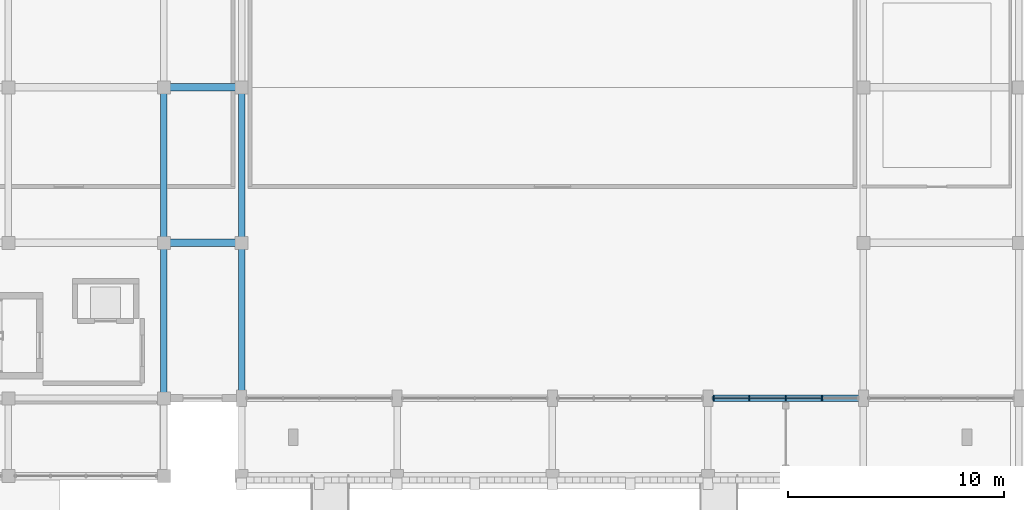
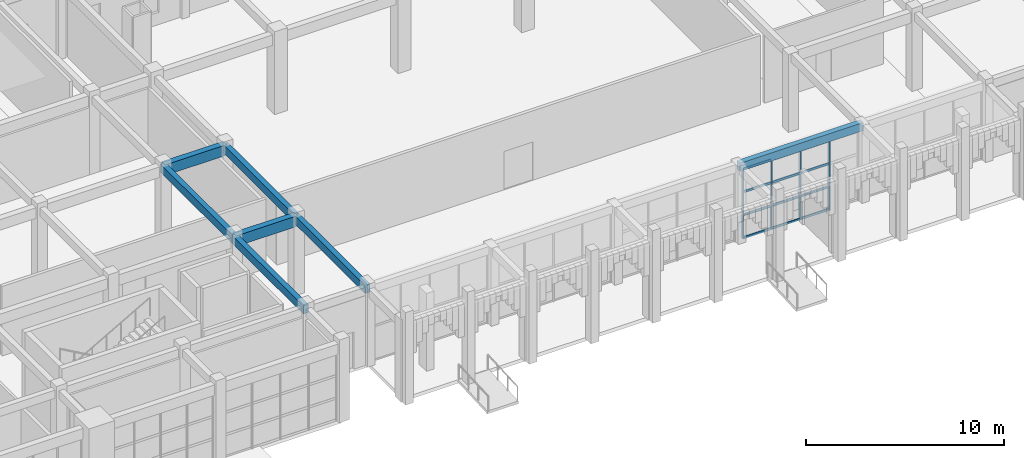
# One storey, part 13 of 72: 16 members, 7 beams, 1 element without a shape of its own.
"""IFC4 building model written with IfcOpenShell, lengths in metres."""

from ifc_helpers import new_model, si_unit, direction, frame, origin, origin_2d, place, context, subcontext, project, spatial, rectangle, extrude, material, material_profile, profile_set, type_object, element, aggregate, save


model = new_model("IFC4")

# Units and contexts
model_context = context("Model", 3, precision=1e-05, world=origin(), true_north=direction((0.0, 1.0)))
body_context = subcontext(model_context, "Body", "Model", "MODEL_VIEW")
ifc_project = project(units=[si_unit("LENGTHUNIT", "METRE"), si_unit("AREAUNIT", "SQUARE_METRE"), si_unit("VOLUMEUNIT", "CUBIC_METRE"), si_unit("PLANEANGLEUNIT", "RADIAN"), si_unit("MASSUNIT", "GRAM", prefix="KILO")], contexts=[model_context])

# Site, building, storey
site_placement = place(None, origin())
site = spatial("IfcSite", under=ifc_project, at=site_placement, CompositionType="ELEMENT")
building_placement = place(site_placement, origin())
building = spatial("IfcBuilding", under=site, at=building_placement, Name="Nzembalo Square Collegiate School", CompositionType="ELEMENT")
storey_placement = place(building_placement, origin())
storey = spatial("IfcBuildingStorey", under=building, at=storey_placement, Name="L00", CompositionType="ELEMENT", Elevation=0.0)

# Beams
ifc_material_1 = material(Name="Concrete C35/45", Category="concrete")
ifc_material_profile_1 = material_profile(ifc_material_1, rectangle(XDim=0.35009765625, YDim=0.64990234375, at=origin_2d()), Name="RC 350x650")
ifc_profile_set_1 = profile_set([ifc_material_profile_1], Name="Concrete C35/45")
beam_type_1 = type_object("IfcBeamType", Name="B01", PredefinedType="BEAM", material=ifc_profile_set_1)
for number, where, z_axis, x_axis, name in (
    (1, (37.199951171875, 90.0, 4.465087890625), (1.0, 0.0, 0.0), (0.0, 1.0, 0.0), "Beam B01 L00"),
    (2, (37.199951171875, 97.199951171875, 4.465087890625), (1.0, 0.0, 0.0), (0.0, 1.0, 0.0), "Beam B01 L00"),
):
    element("IfcBeam", number, at=place(storey_placement, frame(where, z_axis=z_axis, x_axis=x_axis)), inside=storey, type_object=beam_type_1, Name=name, PredefinedType="BEAM", context=body_context, shape_type="SweptSolid", body=[
        extrude(rectangle(XDim=0.35009765625, YDim=0.64990234375, at=origin_2d()), origin(), (0.0, 0.0, 1.0), 3.60009765625),
    ])
ifc_material_2 = material(Name="Concrete C35/45", Category="concrete")
ifc_material_profile_2 = material_profile(ifc_material_2, rectangle(XDim=0.300048828125, YDim=0.5, at=origin_2d()), Name="RC 300x500")
ifc_profile_set_2 = profile_set([ifc_material_profile_2], Name="Concrete C35/45")
beam_type_2 = type_object("IfcBeamType", Name="B02", PredefinedType="BEAM", material=ifc_profile_set_2)
for number, where, z_axis, x_axis, name in (
    (3, (40.800048828125, 82.800048828125, 4.5400390625), (0.0, 1.0, 0.0), (-1.0, 0.0, 0.0), "Beam B02 L00"),
    (4, (40.800048828125, 90.0, 4.5400390625), (0.0, 1.0, 0.0), (-1.0, 0.0, 0.0), "Beam B02 L00"),
):
    element("IfcBeam", number, at=place(storey_placement, frame(where, z_axis=z_axis, x_axis=x_axis)), inside=storey, type_object=beam_type_2, Name=name, PredefinedType="BEAM", context=body_context, shape_type="SweptSolid", body=[
        extrude(rectangle(XDim=0.300048828125, YDim=0.5, at=origin_2d()), origin(), (0.0, 0.0, 1.0), 7.199951171875),
    ])
ifc_material_3 = material(Name="Concrete C35/45", Category="concrete")
ifc_material_profile_3 = material_profile(ifc_material_3, rectangle(XDim=0.300048828125, YDim=0.5, at=origin_2d()), Name="RC 300x500")
ifc_profile_set_3 = profile_set([ifc_material_profile_3], Name="Concrete C35/45")
beam_type_3 = type_object("IfcBeamType", Name="SP01", PredefinedType="SPANDREL", material=ifc_profile_set_3)
beam_placement = place(storey_placement, frame((62.39990234375, 82.800048828125, 4.5400390625), z_axis=(1.0, 0.0, 0.0), x_axis=(0.0, 1.0, 0.0)))
element("IfcBeam", 5, at=beam_placement, inside=storey, type_object=beam_type_3, Name="Beam SP01 L00", PredefinedType="SPANDREL", context=body_context, shape_type="SweptSolid", body=[
    extrude(rectangle(XDim=0.300048828125, YDim=0.5, at=origin_2d()), origin(), (0.0, 0.0, 1.0), 7.2001953125),
])
for number, where, z_axis, x_axis, name in (
    (6, (37.199951171875, 82.800048828125, 4.5400390625), (0.0, 1.0, 0.0), (-1.0, 0.0, 0.0), "Beam SP01 L00"),
    (7, (37.199951171875, 90.0, 4.5400390625), (0.0, 1.0, 0.0), (-1.0, 0.0, 0.0), "Beam SP01 L00"),
):
    element("IfcBeam", number, at=place(storey_placement, frame(where, z_axis=z_axis, x_axis=x_axis)), inside=storey, type_object=beam_type_3, Name=name, PredefinedType="SPANDREL", context=body_context, shape_type="SweptSolid", body=[
        extrude(rectangle(XDim=0.300048828125, YDim=0.5, at=origin_2d()), origin(), (0.0, 0.0, 1.0), 7.199951171875),
    ])

# Curtain wall, members
ifc_material_4 = material(Name="Aluminium 6060-T66", Category="aluminium")
curtain_wall_type = type_object("IfcCurtainWallType", Name="CW-06", PredefinedType="USERDEFINED", material=ifc_material_4)
curtain_wall_placement = place(storey_placement, origin())
curtain_wall = element("IfcCurtainWall", 8, at=curtain_wall_placement, inside=storey, type_object=curtain_wall_type, Name="Curtain wall CW-06 cw:L00:029", ObjectType="LANCET", PredefinedType="USERDEFINED")
ifc_material_5 = material(Name="Aluminium 6060-T66", Category="aluminium")
ifc_material_profile_4 = material_profile(ifc_material_5, rectangle(XDim=0.06005859375, YDim=0.179931640625, at=origin_2d()), Name="ALU M60x180")
ifc_profile_set_4 = profile_set([ifc_material_profile_4], Name="Aluminium 6060-T66")
member_type_1 = type_object("IfcMemberType", Name="ML01", PredefinedType="MULLION", material=ifc_profile_set_4)
member_1_placement = place(storey_placement, frame((62.656982421875, 82.800048828125, 0.0), z_axis=(0.0, 0.0, 1.0), x_axis=(1.0, 0.0, 0.0)))
member_1 = element("IfcMember", 9, at=member_1_placement, type_object=member_type_1, Name="ML01 mullion 1", PredefinedType="MULLION", context=body_context, shape_type="SweptSolid", body=[
    extrude(rectangle(XDim=0.06005859375, YDim=0.179931640625, at=origin_2d()), origin(), (0.0, 0.0, 1.0), 4.283935546875),
])
member_2_placement = place(storey_placement, frame((64.3134765625, 82.800048828125, 0.0), z_axis=(0.0, 0.0, 1.0), x_axis=(1.0, 0.0, 0.0)))
member_2 = element("IfcMember", 10, at=member_2_placement, type_object=member_type_1, Name="ML01 mullion 2", PredefinedType="MULLION", context=body_context, shape_type="SweptSolid", body=[
    extrude(rectangle(XDim=0.06005859375, YDim=0.179931640625, at=origin_2d()), origin(), (0.0, 0.0, 1.0), 4.283935546875),
])
member_3_placement = place(storey_placement, frame((66.0, 82.800048828125, 0.0), z_axis=(0.0, 0.0, 1.0), x_axis=(1.0, 0.0, 0.0)))
member_3 = element("IfcMember", 11, at=member_3_placement, type_object=member_type_1, Name="ML01 mullion 3", PredefinedType="MULLION", context=body_context, shape_type="SweptSolid", body=[
    extrude(rectangle(XDim=0.06005859375, YDim=0.179931640625, at=origin_2d()), origin(), (0.0, 0.0, 1.0), 4.283935546875),
])
member_4_placement = place(storey_placement, frame((67.6865234375, 82.800048828125, 0.0), z_axis=(0.0, 0.0, 1.0), x_axis=(1.0, 0.0, 0.0)))
member_4 = element("IfcMember", 12, at=member_4_placement, type_object=member_type_1, Name="ML01 mullion 4", PredefinedType="MULLION", context=body_context, shape_type="SweptSolid", body=[
    extrude(rectangle(XDim=0.06005859375, YDim=0.179931640625, at=origin_2d()), origin(), (0.0, 0.0, 1.0), 4.283935546875),
])
ifc_material_6 = material(Name="Aluminium 6060-T66", Category="aluminium")
ifc_material_profile_5 = material_profile(ifc_material_6, rectangle(XDim=0.06005859375, YDim=0.139892578125, at=origin_2d()), Name="ALU T60x140")
ifc_profile_set_5 = profile_set([ifc_material_profile_5], Name="Aluminium 6060-T66")
member_type_2 = type_object("IfcMemberType", Name="TR01", PredefinedType="USERDEFINED", material=ifc_profile_set_5)
member_5_placement = place(storey_placement, frame((62.68701171875, 82.800048828125, 0.030029296875), z_axis=(1.0, 0.0, 0.0), x_axis=(0.0, 1.0, 0.0)))
member_5 = element("IfcMember", 13, at=member_5_placement, type_object=member_type_2, Name="TR01 transom 1-1", ObjectType="TRANSOM", PredefinedType="USERDEFINED", context=body_context, shape_type="SweptSolid", body=[
    extrude(rectangle(XDim=0.06005859375, YDim=0.139892578125, at=origin_2d()), origin(), (0.0, 0.0, 1.0), 1.596435546875),
])
member_6_placement = place(storey_placement, frame((64.343505859375, 82.800048828125, 0.030029296875), z_axis=(1.0, 0.0, 0.0), x_axis=(0.0, 1.0, 0.0)))
member_6 = element("IfcMember", 14, at=member_6_placement, type_object=member_type_2, Name="TR01 transom 1-2", ObjectType="TRANSOM", PredefinedType="USERDEFINED", context=body_context, shape_type="SweptSolid", body=[
    extrude(rectangle(XDim=0.06005859375, YDim=0.139892578125, at=origin_2d()), origin(), (0.0, 0.0, 1.0), 1.62646484375),
])
member_7_placement = place(storey_placement, frame((66.030029296875, 82.800048828125, 0.030029296875), z_axis=(1.0, 0.0, 0.0), x_axis=(0.0, 1.0, 0.0)))
member_7 = element("IfcMember", 15, at=member_7_placement, type_object=member_type_2, Name="TR01 transom 1-3", ObjectType="TRANSOM", PredefinedType="USERDEFINED", context=body_context, shape_type="SweptSolid", body=[
    extrude(rectangle(XDim=0.06005859375, YDim=0.139892578125, at=origin_2d()), origin(), (0.0, 0.0, 1.0), 1.62646484375),
])
member_8_placement = place(storey_placement, frame((62.68701171875, 82.800048828125, 1.427978515625), z_axis=(1.0, 0.0, 0.0), x_axis=(0.0, 1.0, 0.0)))
member_8 = element("IfcMember", 16, at=member_8_placement, type_object=member_type_2, Name="TR01 transom 2-1", ObjectType="TRANSOM", PredefinedType="USERDEFINED", context=body_context, shape_type="SweptSolid", body=[
    extrude(rectangle(XDim=0.06005859375, YDim=0.139892578125, at=origin_2d()), origin(), (0.0, 0.0, 1.0), 1.596435546875),
])
member_9_placement = place(storey_placement, frame((64.343505859375, 82.800048828125, 1.427978515625), z_axis=(1.0, 0.0, 0.0), x_axis=(0.0, 1.0, 0.0)))
member_9 = element("IfcMember", 17, at=member_9_placement, type_object=member_type_2, Name="TR01 transom 2-2", ObjectType="TRANSOM", PredefinedType="USERDEFINED", context=body_context, shape_type="SweptSolid", body=[
    extrude(rectangle(XDim=0.06005859375, YDim=0.139892578125, at=origin_2d()), origin(), (0.0, 0.0, 1.0), 1.62646484375),
])
member_10_placement = place(storey_placement, frame((66.030029296875, 82.800048828125, 1.427978515625), z_axis=(1.0, 0.0, 0.0), x_axis=(0.0, 1.0, 0.0)))
member_10 = element("IfcMember", 18, at=member_10_placement, type_object=member_type_2, Name="TR01 transom 2-3", ObjectType="TRANSOM", PredefinedType="USERDEFINED", context=body_context, shape_type="SweptSolid", body=[
    extrude(rectangle(XDim=0.06005859375, YDim=0.139892578125, at=origin_2d()), origin(), (0.0, 0.0, 1.0), 1.62646484375),
])
member_11_placement = place(storey_placement, frame((62.68701171875, 82.800048828125, 2.85595703125), z_axis=(1.0, 0.0, 0.0), x_axis=(0.0, 1.0, 0.0)))
member_11 = element("IfcMember", 19, at=member_11_placement, type_object=member_type_2, Name="TR01 transom 3-1", ObjectType="TRANSOM", PredefinedType="USERDEFINED", context=body_context, shape_type="SweptSolid", body=[
    extrude(rectangle(XDim=0.06005859375, YDim=0.139892578125, at=origin_2d()), origin(), (0.0, 0.0, 1.0), 1.596435546875),
])
member_12_placement = place(storey_placement, frame((64.343505859375, 82.800048828125, 2.85595703125), z_axis=(1.0, 0.0, 0.0), x_axis=(0.0, 1.0, 0.0)))
member_12 = element("IfcMember", 20, at=member_12_placement, type_object=member_type_2, Name="TR01 transom 3-2", ObjectType="TRANSOM", PredefinedType="USERDEFINED", context=body_context, shape_type="SweptSolid", body=[
    extrude(rectangle(XDim=0.06005859375, YDim=0.139892578125, at=origin_2d()), origin(), (0.0, 0.0, 1.0), 1.62646484375),
])
member_13_placement = place(storey_placement, frame((66.030029296875, 82.800048828125, 2.85595703125), z_axis=(1.0, 0.0, 0.0), x_axis=(0.0, 1.0, 0.0)))
member_13 = element("IfcMember", 21, at=member_13_placement, type_object=member_type_2, Name="TR01 transom 3-3", ObjectType="TRANSOM", PredefinedType="USERDEFINED", context=body_context, shape_type="SweptSolid", body=[
    extrude(rectangle(XDim=0.06005859375, YDim=0.139892578125, at=origin_2d()), origin(), (0.0, 0.0, 1.0), 1.62646484375),
])
member_14_placement = place(storey_placement, frame((62.68701171875, 82.800048828125, 4.25390625), z_axis=(1.0, 0.0, 0.0), x_axis=(0.0, 1.0, 0.0)))
member_14 = element("IfcMember", 22, at=member_14_placement, type_object=member_type_2, Name="TR01 transom 4-1", ObjectType="TRANSOM", PredefinedType="USERDEFINED", context=body_context, shape_type="SweptSolid", body=[
    extrude(rectangle(XDim=0.06005859375, YDim=0.139892578125, at=origin_2d()), origin(), (0.0, 0.0, 1.0), 1.596435546875),
])
member_15_placement = place(storey_placement, frame((64.343505859375, 82.800048828125, 4.25390625), z_axis=(1.0, 0.0, 0.0), x_axis=(0.0, 1.0, 0.0)))
member_15 = element("IfcMember", 23, at=member_15_placement, type_object=member_type_2, Name="TR01 transom 4-2", ObjectType="TRANSOM", PredefinedType="USERDEFINED", context=body_context, shape_type="SweptSolid", body=[
    extrude(rectangle(XDim=0.06005859375, YDim=0.139892578125, at=origin_2d()), origin(), (0.0, 0.0, 1.0), 1.62646484375),
])
member_16_placement = place(storey_placement, frame((66.030029296875, 82.800048828125, 4.25390625), z_axis=(1.0, 0.0, 0.0), x_axis=(0.0, 1.0, 0.0)))
member_16 = element("IfcMember", 24, at=member_16_placement, type_object=member_type_2, Name="TR01 transom 4-3", ObjectType="TRANSOM", PredefinedType="USERDEFINED", context=body_context, shape_type="SweptSolid", body=[
    extrude(rectangle(XDim=0.06005859375, YDim=0.139892578125, at=origin_2d()), origin(), (0.0, 0.0, 1.0), 1.62646484375),
])
aggregate(curtain_wall, [member_1, member_2, member_3, member_4, member_5, member_6, member_7, member_8, member_9, member_10, member_11, member_12, member_13, member_14, member_15, member_16])

save(model, "model.ifc")
